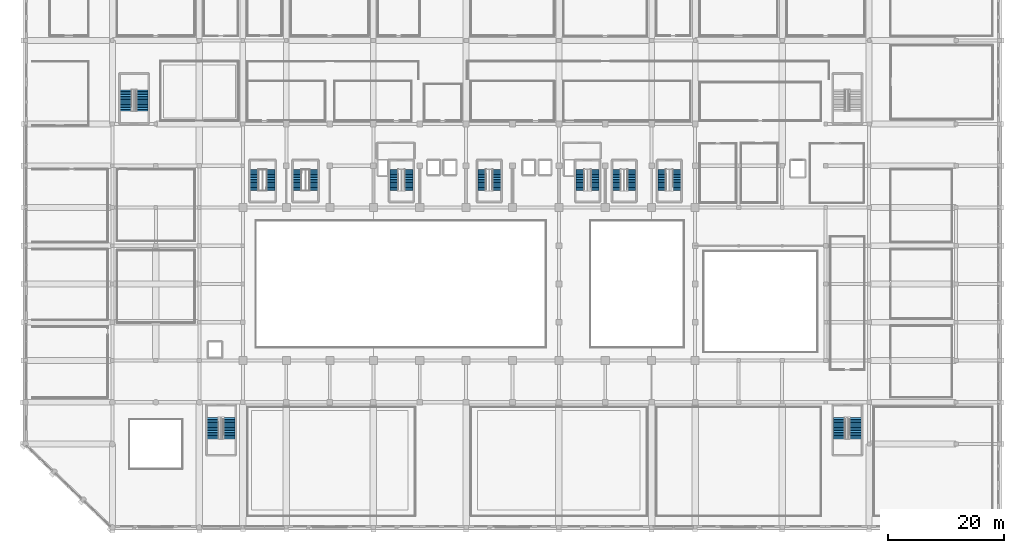
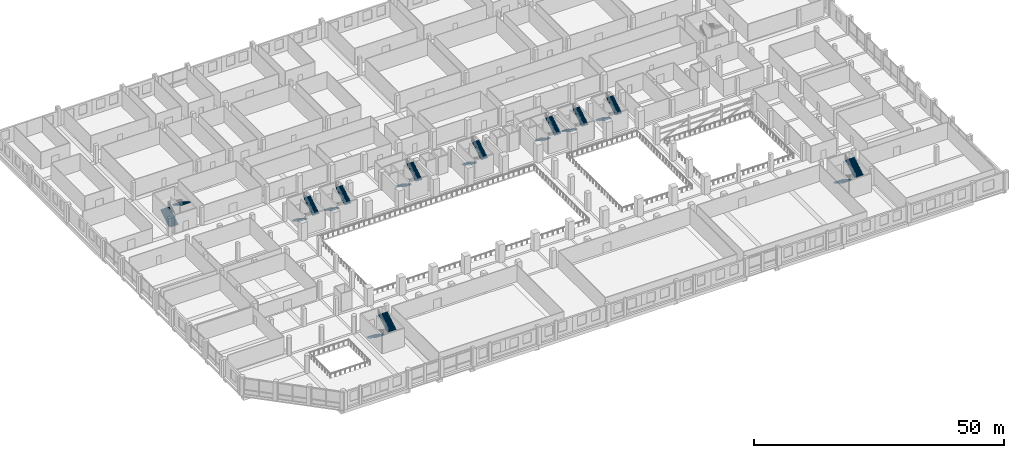
# One storey, part 54 of 64: 20 stair flights, 10 elements without a shape of their own.
"""IFC4 building model written with IfcOpenShell, lengths in metres."""

from ifc_helpers import new_model, si_unit, direction, frame, origin, place, context, subcontext, project, spatial, polyline, outline, extrude, material, type_object, element, aggregate, save


model = new_model("IFC4")

# Units and contexts
model_context = context("Model", 3, precision=1e-05, world=origin(), true_north=direction((0.0, 1.0)))
body_context = subcontext(model_context, "Body", "Model", "MODEL_VIEW")
ifc_project = project(units=[si_unit("LENGTHUNIT", "METRE"), si_unit("AREAUNIT", "SQUARE_METRE"), si_unit("VOLUMEUNIT", "CUBIC_METRE"), si_unit("PLANEANGLEUNIT", "RADIAN"), si_unit("MASSUNIT", "GRAM", prefix="KILO")], contexts=[model_context])

# Site, building, storey
site_placement = place(None, origin())
site = spatial("IfcSite", under=ifc_project, at=site_placement, CompositionType="ELEMENT")
building_placement = place(site_placement, origin())
building = spatial("IfcBuilding", under=site, at=building_placement, Name="Akrevak Sports Hall", CompositionType="ELEMENT")
storey_placement = place(building_placement, frame((0.0, 0.0, 4.60009765625)))
storey = spatial("IfcBuildingStorey", under=building, at=storey_placement, Name="L01", CompositionType="ELEMENT", Elevation=4.60009765625)

# Stair, stair flights
ifc_material = material(Name="Concrete C40/50", Category="concrete")
stair_type_1 = type_object("IfcStairType", Name="ARC-STR-DOG-480", PredefinedType="HALF_TURN_STAIR", material=ifc_material)
stair_1_placement = place(storey_placement, origin())
stair_1 = element("IfcStair", 1, at=stair_1_placement, inside=storey, type_object=stair_type_1, Name="Protected Exit Stair ST1 (L01 to L02)", PredefinedType="HALF_TURN_STAIR")
stair_flight_type_1 = type_object("IfcStairFlightType", Name="ARC-FLT-165-171", PredefinedType="STRAIGHT", material=ifc_material)
stair_flight_1_placement = place(storey_placement, frame((63.610107421875, 61.735107421875, 0.0), z_axis=(0.0, 0.0, 1.0), x_axis=(0.0, -1.0, 0.0)))
stair_flight_1 = element("IfcStairFlight", 2, at=stair_flight_1_placement, type_object=stair_flight_type_1, Name="Stair ST1 Flight 1 (L01)", NumberOfRisers=14, NumberOfTreads=13, PredefinedType="STRAIGHT", RiserHeight=0.171429, TreadLength=0.28, context=body_context, shape_type="SweptSolid", body=[
    extrude(outline(polyline([(0.0, 0.0), (0.0, 0.17138671875), (0.280029296875, 0.17138671875), (0.280029296875, 0.3427734375), (0.56005859375, 0.3427734375), (0.56005859375, 0.514404296875), (0.840087890625, 0.514404296875), (0.840087890625, 0.685791015625), (1.1201171875, 0.685791015625), (1.1201171875, 0.857177734375), (1.39990234375, 0.857177734375), (1.39990234375, 1.028564453125), (1.679931640625, 1.028564453125), (1.679931640625, 1.199951171875), (1.9599609375, 1.199951171875), (1.9599609375, 1.371337890625), (2.239990234375, 1.371337890625), (2.239990234375, 1.54296875), (2.52001953125, 1.54296875), (2.52001953125, 1.71435546875), (2.800048828125, 1.71435546875), (2.800048828125, 1.8857421875), (3.080078125, 1.8857421875), (3.080078125, 2.05712890625), (3.360107421875, 2.05712890625), (3.360107421875, 2.228515625), (3.639892578125, 2.228515625), (3.639892578125, 2.39990234375), (3.639892578125, 1.994140625), (0.383056640625, 0.0), (0.0, 0.0)])), frame((0.0, 0.75, 0.0), z_axis=(0.0, -1.0, 0.0), x_axis=(1.0, 0.0, 0.0)), (0.0, 0.0, 1.0), 1.5),
])
stair_flight_2_placement = place(storey_placement, frame((66.090087890625, 58.094970703125, 2.39990234375), z_axis=(0.0, 0.0, 1.0), x_axis=(0.0, 1.0, 0.0)))
stair_flight_2 = element("IfcStairFlight", 3, at=stair_flight_2_placement, type_object=stair_flight_type_1, Name="Stair ST1 Flight 2 (L01)", NumberOfRisers=14, NumberOfTreads=13, PredefinedType="STRAIGHT", RiserHeight=0.171429, TreadLength=0.28, context=body_context, shape_type="SweptSolid", body=[
    extrude(outline(polyline([(0.0, 0.0), (0.0, 0.17138671875), (0.280029296875, 0.17138671875), (0.280029296875, 0.3427734375), (0.56005859375, 0.3427734375), (0.56005859375, 0.514404296875), (0.840087890625, 0.514404296875), (0.840087890625, 0.685791015625), (1.1201171875, 0.685791015625), (1.1201171875, 0.857177734375), (1.39990234375, 0.857177734375), (1.39990234375, 1.028564453125), (1.679931640625, 1.028564453125), (1.679931640625, 1.199951171875), (1.9599609375, 1.199951171875), (1.9599609375, 1.371337890625), (2.239990234375, 1.371337890625), (2.239990234375, 1.54296875), (2.52001953125, 1.54296875), (2.52001953125, 1.71435546875), (2.800048828125, 1.71435546875), (2.800048828125, 1.8857421875), (3.080078125, 1.8857421875), (3.080078125, 2.05712890625), (3.360107421875, 2.05712890625), (3.360107421875, 2.228515625), (3.639892578125, 2.228515625), (3.639892578125, 2.39990234375), (3.639892578125, 1.994140625), (0.383056640625, 0.0), (0.0, 0.0)])), frame((0.0, 0.75, 0.0), z_axis=(0.0, -1.0, 0.0), x_axis=(1.0, 0.0, 0.0)), (0.0, 0.0, 1.0), 1.5),
])
aggregate(stair_1, [stair_flight_1, stair_flight_2])

stair_2_placement = place(storey_placement, origin())
stair_2 = element("IfcStair", 4, at=stair_2_placement, inside=storey, type_object=stair_type_1, Name="Protected Exit Stair ST2 (L01 to L02)", PredefinedType="HALF_TURN_STAIR")
stair_flight_3_placement = place(storey_placement, frame((95.7099609375, 61.735107421875, 0.0), z_axis=(0.0, 0.0, 1.0), x_axis=(0.0, -1.0, 0.0)))
stair_flight_3 = element("IfcStairFlight", 5, at=stair_flight_3_placement, type_object=stair_flight_type_1, Name="Stair ST2 Flight 1 (L01)", NumberOfRisers=14, NumberOfTreads=13, PredefinedType="STRAIGHT", RiserHeight=0.171429, TreadLength=0.28, context=body_context, shape_type="SweptSolid", body=[
    extrude(outline(polyline([(0.0, 0.0), (0.0, 0.17138671875), (0.280029296875, 0.17138671875), (0.280029296875, 0.3427734375), (0.56005859375, 0.3427734375), (0.56005859375, 0.514404296875), (0.840087890625, 0.514404296875), (0.840087890625, 0.685791015625), (1.1201171875, 0.685791015625), (1.1201171875, 0.857177734375), (1.39990234375, 0.857177734375), (1.39990234375, 1.028564453125), (1.679931640625, 1.028564453125), (1.679931640625, 1.199951171875), (1.9599609375, 1.199951171875), (1.9599609375, 1.371337890625), (2.239990234375, 1.371337890625), (2.239990234375, 1.54296875), (2.52001953125, 1.54296875), (2.52001953125, 1.71435546875), (2.800048828125, 1.71435546875), (2.800048828125, 1.8857421875), (3.080078125, 1.8857421875), (3.080078125, 2.05712890625), (3.360107421875, 2.05712890625), (3.360107421875, 2.228515625), (3.639892578125, 2.228515625), (3.639892578125, 2.39990234375), (3.639892578125, 1.994140625), (0.383056640625, 0.0), (0.0, 0.0)])), frame((0.0, 0.75, 0.0), z_axis=(0.0, -1.0, 0.0), x_axis=(1.0, 0.0, 0.0)), (0.0, 0.0, 1.0), 1.5),
])
stair_flight_4_placement = place(storey_placement, frame((98.18994140625, 58.094970703125, 2.39990234375), z_axis=(0.0, 0.0, 1.0), x_axis=(0.0, 1.0, 0.0)))
stair_flight_4 = element("IfcStairFlight", 6, at=stair_flight_4_placement, type_object=stair_flight_type_1, Name="Stair ST2 Flight 2 (L01)", NumberOfRisers=14, NumberOfTreads=13, PredefinedType="STRAIGHT", RiserHeight=0.171429, TreadLength=0.28, context=body_context, shape_type="SweptSolid", body=[
    extrude(outline(polyline([(0.0, 0.0), (0.0, 0.17138671875), (0.280029296875, 0.17138671875), (0.280029296875, 0.3427734375), (0.56005859375, 0.3427734375), (0.56005859375, 0.514404296875), (0.840087890625, 0.514404296875), (0.840087890625, 0.685791015625), (1.1201171875, 0.685791015625), (1.1201171875, 0.857177734375), (1.39990234375, 0.857177734375), (1.39990234375, 1.028564453125), (1.679931640625, 1.028564453125), (1.679931640625, 1.199951171875), (1.9599609375, 1.199951171875), (1.9599609375, 1.371337890625), (2.239990234375, 1.371337890625), (2.239990234375, 1.54296875), (2.52001953125, 1.54296875), (2.52001953125, 1.71435546875), (2.800048828125, 1.71435546875), (2.800048828125, 1.8857421875), (3.080078125, 1.8857421875), (3.080078125, 2.05712890625), (3.360107421875, 2.05712890625), (3.360107421875, 2.228515625), (3.639892578125, 2.228515625), (3.639892578125, 2.39990234375), (3.639892578125, 1.994140625), (0.383056640625, 0.0), (0.0, 0.0)])), frame((0.0, 0.75, 0.0), z_axis=(0.0, -1.0, 0.0), x_axis=(1.0, 0.0, 0.0)), (0.0, 0.0, 1.0), 1.5),
])
aggregate(stair_2, [stair_flight_3, stair_flight_4])

stair_3_placement = place(storey_placement, origin())
stair_3 = element("IfcStair", 7, at=stair_3_placement, inside=storey, type_object=stair_type_1, Name="Protected Exit Stair ST3 (L01 to L02)", PredefinedType="HALF_TURN_STAIR")
stair_flight_5_placement = place(storey_placement, frame((78.760009765625, 61.735107421875, 0.0), z_axis=(0.0, 0.0, 1.0), x_axis=(0.0, -1.0, 0.0)))
stair_flight_5 = element("IfcStairFlight", 8, at=stair_flight_5_placement, type_object=stair_flight_type_1, Name="Stair ST3 Flight 1 (L01)", NumberOfRisers=14, NumberOfTreads=13, PredefinedType="STRAIGHT", RiserHeight=0.171429, TreadLength=0.28, context=body_context, shape_type="SweptSolid", body=[
    extrude(outline(polyline([(0.0, 0.0), (0.0, 0.17138671875), (0.280029296875, 0.17138671875), (0.280029296875, 0.3427734375), (0.56005859375, 0.3427734375), (0.56005859375, 0.514404296875), (0.840087890625, 0.514404296875), (0.840087890625, 0.685791015625), (1.1201171875, 0.685791015625), (1.1201171875, 0.857177734375), (1.39990234375, 0.857177734375), (1.39990234375, 1.028564453125), (1.679931640625, 1.028564453125), (1.679931640625, 1.199951171875), (1.9599609375, 1.199951171875), (1.9599609375, 1.371337890625), (2.239990234375, 1.371337890625), (2.239990234375, 1.54296875), (2.52001953125, 1.54296875), (2.52001953125, 1.71435546875), (2.800048828125, 1.71435546875), (2.800048828125, 1.8857421875), (3.080078125, 1.8857421875), (3.080078125, 2.05712890625), (3.360107421875, 2.05712890625), (3.360107421875, 2.228515625), (3.639892578125, 2.228515625), (3.639892578125, 2.39990234375), (3.639892578125, 1.994140625), (0.383056640625, 0.0), (0.0, 0.0)])), frame((0.0, 0.75, 0.0), z_axis=(0.0, -1.0, 0.0), x_axis=(1.0, 0.0, 0.0)), (0.0, 0.0, 1.0), 1.5),
])
stair_flight_6_placement = place(storey_placement, frame((81.239990234375, 58.094970703125, 2.39990234375), z_axis=(0.0, 0.0, 1.0), x_axis=(0.0, 1.0, 0.0)))
stair_flight_6 = element("IfcStairFlight", 9, at=stair_flight_6_placement, type_object=stair_flight_type_1, Name="Stair ST3 Flight 2 (L01)", NumberOfRisers=14, NumberOfTreads=13, PredefinedType="STRAIGHT", RiserHeight=0.171429, TreadLength=0.28, context=body_context, shape_type="SweptSolid", body=[
    extrude(outline(polyline([(0.0, 0.0), (0.0, 0.17138671875), (0.280029296875, 0.17138671875), (0.280029296875, 0.3427734375), (0.56005859375, 0.3427734375), (0.56005859375, 0.514404296875), (0.840087890625, 0.514404296875), (0.840087890625, 0.685791015625), (1.1201171875, 0.685791015625), (1.1201171875, 0.857177734375), (1.39990234375, 0.857177734375), (1.39990234375, 1.028564453125), (1.679931640625, 1.028564453125), (1.679931640625, 1.199951171875), (1.9599609375, 1.199951171875), (1.9599609375, 1.371337890625), (2.239990234375, 1.371337890625), (2.239990234375, 1.54296875), (2.52001953125, 1.54296875), (2.52001953125, 1.71435546875), (2.800048828125, 1.71435546875), (2.800048828125, 1.8857421875), (3.080078125, 1.8857421875), (3.080078125, 2.05712890625), (3.360107421875, 2.05712890625), (3.360107421875, 2.228515625), (3.639892578125, 2.228515625), (3.639892578125, 2.39990234375), (3.639892578125, 1.994140625), (0.383056640625, 0.0), (0.0, 0.0)])), frame((0.0, 0.75, 0.0), z_axis=(0.0, -1.0, 0.0), x_axis=(1.0, 0.0, 0.0)), (0.0, 0.0, 1.0), 1.5),
])
aggregate(stair_3, [stair_flight_5, stair_flight_6])

stair_4_placement = place(storey_placement, origin())
stair_4 = element("IfcStair", 10, at=stair_4_placement, inside=storey, type_object=stair_type_1, Name="East Wing Exit Stair ST10 (L01 to L02)", PredefinedType="HALF_TURN_STAIR")
stair_flight_7_placement = place(storey_placement, frame((102.010009765625, 61.735107421875, 0.0), z_axis=(0.0, 0.0, 1.0), x_axis=(0.0, -1.0, 0.0)))
stair_flight_7 = element("IfcStairFlight", 11, at=stair_flight_7_placement, type_object=stair_flight_type_1, Name="Stair ST10 Flight 1 (L01)", NumberOfRisers=14, NumberOfTreads=13, PredefinedType="STRAIGHT", RiserHeight=0.171429, TreadLength=0.28, context=body_context, shape_type="SweptSolid", body=[
    extrude(outline(polyline([(0.0, 0.0), (0.0, 0.17138671875), (0.280029296875, 0.17138671875), (0.280029296875, 0.3427734375), (0.56005859375, 0.3427734375), (0.56005859375, 0.514404296875), (0.840087890625, 0.514404296875), (0.840087890625, 0.685791015625), (1.1201171875, 0.685791015625), (1.1201171875, 0.857177734375), (1.39990234375, 0.857177734375), (1.39990234375, 1.028564453125), (1.679931640625, 1.028564453125), (1.679931640625, 1.199951171875), (1.9599609375, 1.199951171875), (1.9599609375, 1.371337890625), (2.239990234375, 1.371337890625), (2.239990234375, 1.54296875), (2.52001953125, 1.54296875), (2.52001953125, 1.71435546875), (2.800048828125, 1.71435546875), (2.800048828125, 1.8857421875), (3.080078125, 1.8857421875), (3.080078125, 2.05712890625), (3.360107421875, 2.05712890625), (3.360107421875, 2.228515625), (3.639892578125, 2.228515625), (3.639892578125, 2.39990234375), (3.639892578125, 1.994140625), (0.383056640625, 0.0), (0.0, 0.0)])), frame((0.0, 0.75, 0.0), z_axis=(0.0, -1.0, 0.0), x_axis=(1.0, 0.0, 0.0)), (0.0, 0.0, 1.0), 1.5),
])
stair_flight_8_placement = place(storey_placement, frame((104.489990234375, 58.094970703125, 2.39990234375), z_axis=(0.0, 0.0, 1.0), x_axis=(0.0, 1.0, 0.0)))
stair_flight_8 = element("IfcStairFlight", 12, at=stair_flight_8_placement, type_object=stair_flight_type_1, Name="Stair ST10 Flight 2 (L01)", NumberOfRisers=14, NumberOfTreads=13, PredefinedType="STRAIGHT", RiserHeight=0.171429, TreadLength=0.28, context=body_context, shape_type="SweptSolid", body=[
    extrude(outline(polyline([(0.0, 0.0), (0.0, 0.17138671875), (0.280029296875, 0.17138671875), (0.280029296875, 0.3427734375), (0.56005859375, 0.3427734375), (0.56005859375, 0.514404296875), (0.840087890625, 0.514404296875), (0.840087890625, 0.685791015625), (1.1201171875, 0.685791015625), (1.1201171875, 0.857177734375), (1.39990234375, 0.857177734375), (1.39990234375, 1.028564453125), (1.679931640625, 1.028564453125), (1.679931640625, 1.199951171875), (1.9599609375, 1.199951171875), (1.9599609375, 1.371337890625), (2.239990234375, 1.371337890625), (2.239990234375, 1.54296875), (2.52001953125, 1.54296875), (2.52001953125, 1.71435546875), (2.800048828125, 1.71435546875), (2.800048828125, 1.8857421875), (3.080078125, 1.8857421875), (3.080078125, 2.05712890625), (3.360107421875, 2.05712890625), (3.360107421875, 2.228515625), (3.639892578125, 2.228515625), (3.639892578125, 2.39990234375), (3.639892578125, 1.994140625), (0.383056640625, 0.0), (0.0, 0.0)])), frame((0.0, 0.75, 0.0), z_axis=(0.0, -1.0, 0.0), x_axis=(1.0, 0.0, 0.0)), (0.0, 0.0, 1.0), 1.5),
])
aggregate(stair_4, [stair_flight_7, stair_flight_8])

stair_5_placement = place(storey_placement, origin())
stair_5 = element("IfcStair", 13, at=stair_5_placement, inside=storey, type_object=stair_type_1, Name="East Transfer Exit Stair ST11 (L01 to L02)", PredefinedType="HALF_TURN_STAIR")
stair_flight_9_placement = place(storey_placement, frame((109.81005859375, 61.735107421875, 0.0), z_axis=(0.0, 0.0, 1.0), x_axis=(0.0, -1.0, 0.0)))
stair_flight_9 = element("IfcStairFlight", 14, at=stair_flight_9_placement, type_object=stair_flight_type_1, Name="Stair ST11 Flight 1 (L01)", NumberOfRisers=14, NumberOfTreads=13, PredefinedType="STRAIGHT", RiserHeight=0.171429, TreadLength=0.28, context=body_context, shape_type="SweptSolid", body=[
    extrude(outline(polyline([(0.0, 0.0), (0.0, 0.17138671875), (0.280029296875, 0.17138671875), (0.280029296875, 0.3427734375), (0.56005859375, 0.3427734375), (0.56005859375, 0.514404296875), (0.840087890625, 0.514404296875), (0.840087890625, 0.685791015625), (1.1201171875, 0.685791015625), (1.1201171875, 0.857177734375), (1.39990234375, 0.857177734375), (1.39990234375, 1.028564453125), (1.679931640625, 1.028564453125), (1.679931640625, 1.199951171875), (1.9599609375, 1.199951171875), (1.9599609375, 1.371337890625), (2.239990234375, 1.371337890625), (2.239990234375, 1.54296875), (2.52001953125, 1.54296875), (2.52001953125, 1.71435546875), (2.800048828125, 1.71435546875), (2.800048828125, 1.8857421875), (3.080078125, 1.8857421875), (3.080078125, 2.05712890625), (3.360107421875, 2.05712890625), (3.360107421875, 2.228515625), (3.639892578125, 2.228515625), (3.639892578125, 2.39990234375), (3.639892578125, 1.994140625), (0.383056640625, 0.0), (0.0, 0.0)])), frame((0.0, 0.75, 0.0), z_axis=(0.0, -1.0, 0.0), x_axis=(1.0, 0.0, 0.0)), (0.0, 0.0, 1.0), 1.5),
])
stair_flight_10_placement = place(storey_placement, frame((112.2900390625, 58.094970703125, 2.39990234375), z_axis=(0.0, 0.0, 1.0), x_axis=(0.0, 1.0, 0.0)))
stair_flight_10 = element("IfcStairFlight", 15, at=stair_flight_10_placement, type_object=stair_flight_type_1, Name="Stair ST11 Flight 2 (L01)", NumberOfRisers=14, NumberOfTreads=13, PredefinedType="STRAIGHT", RiserHeight=0.171429, TreadLength=0.28, context=body_context, shape_type="SweptSolid", body=[
    extrude(outline(polyline([(0.0, 0.0), (0.0, 0.17138671875), (0.280029296875, 0.17138671875), (0.280029296875, 0.3427734375), (0.56005859375, 0.3427734375), (0.56005859375, 0.514404296875), (0.840087890625, 0.514404296875), (0.840087890625, 0.685791015625), (1.1201171875, 0.685791015625), (1.1201171875, 0.857177734375), (1.39990234375, 0.857177734375), (1.39990234375, 1.028564453125), (1.679931640625, 1.028564453125), (1.679931640625, 1.199951171875), (1.9599609375, 1.199951171875), (1.9599609375, 1.371337890625), (2.239990234375, 1.371337890625), (2.239990234375, 1.54296875), (2.52001953125, 1.54296875), (2.52001953125, 1.71435546875), (2.800048828125, 1.71435546875), (2.800048828125, 1.8857421875), (3.080078125, 1.8857421875), (3.080078125, 2.05712890625), (3.360107421875, 2.05712890625), (3.360107421875, 2.228515625), (3.639892578125, 2.228515625), (3.639892578125, 2.39990234375), (3.639892578125, 1.994140625), (0.383056640625, 0.0), (0.0, 0.0)])), frame((0.0, 0.75, 0.0), z_axis=(0.0, -1.0, 0.0), x_axis=(1.0, 0.0, 0.0)), (0.0, 0.0, 1.0), 1.5),
])
aggregate(stair_5, [stair_flight_9, stair_flight_10])

stair_type_2 = type_object("IfcStairType", Name="ARC-STR-MDOG-480", PredefinedType="HALF_TURN_STAIR", material=ifc_material)
stair_6_placement = place(storey_placement, origin())
stair_6 = element("IfcStair", 16, at=stair_6_placement, inside=storey, type_object=stair_type_2, Name="Protected Exit Stair ST4 (L01 to L02)", PredefinedType="HALF_TURN_STAIR")
stair_flight_type_2 = type_object("IfcStairFlightType", Name="ARC-FLT-200-171", PredefinedType="STRAIGHT", material=ifc_material)
stair_flight_11_placement = place(storey_placement, frame((46.9150390625, 61.735107421875, 0.0), z_axis=(0.0, 0.0, 1.0), x_axis=(0.0, -1.0, 0.0)))
stair_flight_11 = element("IfcStairFlight", 17, at=stair_flight_11_placement, type_object=stair_flight_type_2, Name="Stair ST4 Flight 1 (L01)", NumberOfRisers=14, NumberOfTreads=13, PredefinedType="STRAIGHT", RiserHeight=0.171429, TreadLength=0.28, context=body_context, shape_type="SweptSolid", body=[
    extrude(outline(polyline([(0.0, 0.0), (0.0, 0.17138671875), (0.280029296875, 0.17138671875), (0.280029296875, 0.3427734375), (0.56005859375, 0.3427734375), (0.56005859375, 0.514404296875), (0.840087890625, 0.514404296875), (0.840087890625, 0.685791015625), (1.1201171875, 0.685791015625), (1.1201171875, 0.857177734375), (1.39990234375, 0.857177734375), (1.39990234375, 1.028564453125), (1.679931640625, 1.028564453125), (1.679931640625, 1.199951171875), (1.9599609375, 1.199951171875), (1.9599609375, 1.371337890625), (2.239990234375, 1.371337890625), (2.239990234375, 1.54296875), (2.52001953125, 1.54296875), (2.52001953125, 1.71435546875), (2.800048828125, 1.71435546875), (2.800048828125, 1.8857421875), (3.080078125, 1.8857421875), (3.080078125, 2.05712890625), (3.360107421875, 2.05712890625), (3.360107421875, 2.228515625), (3.639892578125, 2.228515625), (3.639892578125, 2.39990234375), (3.639892578125, 1.994140625), (0.383056640625, 0.0), (0.0, 0.0)])), frame((0.0, 0.7548828125, 0.0), z_axis=(0.0, -1.0, 0.0), x_axis=(1.0, 0.0, 0.0)), (0.0, 0.0, 1.0), 1.510009765625),
])
stair_flight_12_placement = place(storey_placement, frame((49.68505859375, 58.094970703125, 2.39990234375), z_axis=(0.0, 0.0, 1.0), x_axis=(0.0, 1.0, 0.0)))
stair_flight_12 = element("IfcStairFlight", 18, at=stair_flight_12_placement, type_object=stair_flight_type_2, Name="Stair ST4 Flight 2 (L01)", NumberOfRisers=14, NumberOfTreads=13, PredefinedType="STRAIGHT", RiserHeight=0.171429, TreadLength=0.28, context=body_context, shape_type="SweptSolid", body=[
    extrude(outline(polyline([(0.0, 0.0), (0.0, 0.17138671875), (0.280029296875, 0.17138671875), (0.280029296875, 0.3427734375), (0.56005859375, 0.3427734375), (0.56005859375, 0.514404296875), (0.840087890625, 0.514404296875), (0.840087890625, 0.685791015625), (1.1201171875, 0.685791015625), (1.1201171875, 0.857177734375), (1.39990234375, 0.857177734375), (1.39990234375, 1.028564453125), (1.679931640625, 1.028564453125), (1.679931640625, 1.199951171875), (1.9599609375, 1.199951171875), (1.9599609375, 1.371337890625), (2.239990234375, 1.371337890625), (2.239990234375, 1.54296875), (2.52001953125, 1.54296875), (2.52001953125, 1.71435546875), (2.800048828125, 1.71435546875), (2.800048828125, 1.8857421875), (3.080078125, 1.8857421875), (3.080078125, 2.05712890625), (3.360107421875, 2.05712890625), (3.360107421875, 2.228515625), (3.639892578125, 2.228515625), (3.639892578125, 2.39990234375), (3.639892578125, 1.994140625), (0.383056640625, 0.0), (0.0, 0.0)])), frame((0.0, 0.7548828125, 0.0), z_axis=(0.0, -1.0, 0.0), x_axis=(1.0, 0.0, 0.0)), (0.0, 0.0, 1.0), 1.510009765625),
])
aggregate(stair_6, [stair_flight_11, stair_flight_12])

stair_7_placement = place(storey_placement, origin())
stair_7 = element("IfcStair", 19, at=stair_7_placement, inside=storey, type_object=stair_type_2, Name="Transfer West Exit Stair ST9 (L01 to L02)", PredefinedType="HALF_TURN_STAIR")
stair_flight_13_placement = place(storey_placement, frame((39.514892578125, 61.735107421875, 0.0), z_axis=(0.0, 0.0, 1.0), x_axis=(0.0, -1.0, 0.0)))
stair_flight_13 = element("IfcStairFlight", 20, at=stair_flight_13_placement, type_object=stair_flight_type_2, Name="Stair ST9 Flight 1 (L01)", NumberOfRisers=14, NumberOfTreads=13, PredefinedType="STRAIGHT", RiserHeight=0.171429, TreadLength=0.28, context=body_context, shape_type="SweptSolid", body=[
    extrude(outline(polyline([(0.0, 0.0), (0.0, 0.17138671875), (0.280029296875, 0.17138671875), (0.280029296875, 0.3427734375), (0.56005859375, 0.3427734375), (0.56005859375, 0.514404296875), (0.840087890625, 0.514404296875), (0.840087890625, 0.685791015625), (1.1201171875, 0.685791015625), (1.1201171875, 0.857177734375), (1.39990234375, 0.857177734375), (1.39990234375, 1.028564453125), (1.679931640625, 1.028564453125), (1.679931640625, 1.199951171875), (1.9599609375, 1.199951171875), (1.9599609375, 1.371337890625), (2.239990234375, 1.371337890625), (2.239990234375, 1.54296875), (2.52001953125, 1.54296875), (2.52001953125, 1.71435546875), (2.800048828125, 1.71435546875), (2.800048828125, 1.8857421875), (3.080078125, 1.8857421875), (3.080078125, 2.05712890625), (3.360107421875, 2.05712890625), (3.360107421875, 2.228515625), (3.639892578125, 2.228515625), (3.639892578125, 2.39990234375), (3.639892578125, 1.994140625), (0.383056640625, 0.0), (0.0, 0.0)])), frame((0.0, 0.7548828125, 0.0), z_axis=(0.0, -1.0, 0.0), x_axis=(1.0, 0.0, 0.0)), (0.0, 0.0, 1.0), 1.510009765625),
])
stair_flight_14_placement = place(storey_placement, frame((42.284912109375, 58.094970703125, 2.39990234375), z_axis=(0.0, 0.0, 1.0), x_axis=(0.0, 1.0, 0.0)))
stair_flight_14 = element("IfcStairFlight", 21, at=stair_flight_14_placement, type_object=stair_flight_type_2, Name="Stair ST9 Flight 2 (L01)", NumberOfRisers=14, NumberOfTreads=13, PredefinedType="STRAIGHT", RiserHeight=0.171429, TreadLength=0.28, context=body_context, shape_type="SweptSolid", body=[
    extrude(outline(polyline([(0.0, 0.0), (0.0, 0.17138671875), (0.280029296875, 0.17138671875), (0.280029296875, 0.3427734375), (0.56005859375, 0.3427734375), (0.56005859375, 0.514404296875), (0.840087890625, 0.514404296875), (0.840087890625, 0.685791015625), (1.1201171875, 0.685791015625), (1.1201171875, 0.857177734375), (1.39990234375, 0.857177734375), (1.39990234375, 1.028564453125), (1.679931640625, 1.028564453125), (1.679931640625, 1.199951171875), (1.9599609375, 1.199951171875), (1.9599609375, 1.371337890625), (2.239990234375, 1.371337890625), (2.239990234375, 1.54296875), (2.52001953125, 1.54296875), (2.52001953125, 1.71435546875), (2.800048828125, 1.71435546875), (2.800048828125, 1.8857421875), (3.080078125, 1.8857421875), (3.080078125, 2.05712890625), (3.360107421875, 2.05712890625), (3.360107421875, 2.228515625), (3.639892578125, 2.228515625), (3.639892578125, 2.39990234375), (3.639892578125, 1.994140625), (0.383056640625, 0.0), (0.0, 0.0)])), frame((0.0, 0.7548828125, 0.0), z_axis=(0.0, -1.0, 0.0), x_axis=(1.0, 0.0, 0.0)), (0.0, 0.0, 1.0), 1.510009765625),
])
aggregate(stair_7, [stair_flight_13, stair_flight_14])

stair_type_3 = type_object("IfcStairType", Name="ARC-STR-PDOG-480", PredefinedType="HALF_TURN_STAIR", material=ifc_material)
stair_8_placement = place(storey_placement, origin())
stair_8 = element("IfcStair", 22, at=stair_8_placement, inside=storey, type_object=stair_type_3, Name="Podium SW Exit Stair ST5 (L01 to L02)", PredefinedType="HALF_TURN_STAIR")
stair_flight_type_3 = type_object("IfcStairFlightType", Name="ARC-FLT-225-171", PredefinedType="STRAIGHT", material=ifc_material)
stair_flight_15_placement = place(storey_placement, frame((32.385009765625, 18.949951171875, 0.0), z_axis=(0.0, 0.0, 1.0), x_axis=(0.0, -1.0, 0.0)))
stair_flight_15 = element("IfcStairFlight", 23, at=stair_flight_15_placement, type_object=stair_flight_type_3, Name="Stair ST5 Flight 1 (L01)", NumberOfRisers=14, NumberOfTreads=13, PredefinedType="STRAIGHT", RiserHeight=0.171429, TreadLength=0.28, context=body_context, shape_type="SweptSolid", body=[
    extrude(outline(polyline([(0.0, 0.0), (0.0, 0.17138671875), (0.280029296875, 0.17138671875), (0.280029296875, 0.3427734375), (0.56005859375, 0.3427734375), (0.56005859375, 0.514404296875), (0.840087890625, 0.514404296875), (0.840087890625, 0.685791015625), (1.1201171875, 0.685791015625), (1.1201171875, 0.857177734375), (1.39990234375, 0.857177734375), (1.39990234375, 1.028564453125), (1.679931640625, 1.028564453125), (1.679931640625, 1.199951171875), (1.9599609375, 1.199951171875), (1.9599609375, 1.371337890625), (2.239990234375, 1.371337890625), (2.239990234375, 1.54296875), (2.52001953125, 1.54296875), (2.52001953125, 1.71435546875), (2.800048828125, 1.71435546875), (2.800048828125, 1.8857421875), (3.080078125, 1.8857421875), (3.080078125, 2.05712890625), (3.360107421875, 2.05712890625), (3.360107421875, 2.228515625), (3.639892578125, 2.228515625), (3.639892578125, 2.39990234375), (3.639892578125, 1.994140625), (0.383056640625, 0.0), (0.0, 0.0)])), frame((0.0, 1.02490234375, 0.0), z_axis=(0.0, -1.0, 0.0), x_axis=(1.0, 0.0, 0.0)), (0.0, 0.0, 1.0), 2.050048828125),
])
stair_flight_16_placement = place(storey_placement, frame((35.114990234375, 15.31005859375, 2.39990234375), z_axis=(0.0, 0.0, 1.0), x_axis=(0.0, 1.0, 0.0)))
stair_flight_16 = element("IfcStairFlight", 24, at=stair_flight_16_placement, type_object=stair_flight_type_3, Name="Stair ST5 Flight 2 (L01)", NumberOfRisers=14, NumberOfTreads=13, PredefinedType="STRAIGHT", RiserHeight=0.171429, TreadLength=0.28, context=body_context, shape_type="SweptSolid", body=[
    extrude(outline(polyline([(0.0, 0.0), (0.0, 0.17138671875), (0.280029296875, 0.17138671875), (0.280029296875, 0.3427734375), (0.56005859375, 0.3427734375), (0.56005859375, 0.514404296875), (0.840087890625, 0.514404296875), (0.840087890625, 0.685791015625), (1.1201171875, 0.685791015625), (1.1201171875, 0.857177734375), (1.39990234375, 0.857177734375), (1.39990234375, 1.028564453125), (1.679931640625, 1.028564453125), (1.679931640625, 1.199951171875), (1.9599609375, 1.199951171875), (1.9599609375, 1.371337890625), (2.239990234375, 1.371337890625), (2.239990234375, 1.54296875), (2.52001953125, 1.54296875), (2.52001953125, 1.71435546875), (2.800048828125, 1.71435546875), (2.800048828125, 1.8857421875), (3.080078125, 1.8857421875), (3.080078125, 2.05712890625), (3.360107421875, 2.05712890625), (3.360107421875, 2.228515625), (3.639892578125, 2.228515625), (3.639892578125, 2.39990234375), (3.639892578125, 1.994140625), (0.383056640625, 0.0), (0.0, 0.0)])), frame((0.0, 1.02490234375, 0.0), z_axis=(0.0, -1.0, 0.0), x_axis=(1.0, 0.0, 0.0)), (0.0, 0.0, 1.0), 2.050048828125),
])
aggregate(stair_8, [stair_flight_15, stair_flight_16])

stair_9_placement = place(storey_placement, origin())
stair_9 = element("IfcStair", 25, at=stair_9_placement, inside=storey, type_object=stair_type_3, Name="Podium NW Exit Stair ST6 (L01 to L02)", PredefinedType="HALF_TURN_STAIR")
stair_flight_17_placement = place(storey_placement, frame((17.385009765625, 71.85009765625, 0.0), z_axis=(0.0, 0.0, 1.0), x_axis=(0.0, 1.0, 0.0)))
stair_flight_17 = element("IfcStairFlight", 26, at=stair_flight_17_placement, type_object=stair_flight_type_3, Name="Stair ST6 Flight 1 (L01)", NumberOfRisers=14, NumberOfTreads=13, PredefinedType="STRAIGHT", RiserHeight=0.171429, TreadLength=0.28, context=body_context, shape_type="SweptSolid", body=[
    extrude(outline(polyline([(0.0, 0.0), (0.0, 0.17138671875), (0.280029296875, 0.17138671875), (0.280029296875, 0.3427734375), (0.56005859375, 0.3427734375), (0.56005859375, 0.514404296875), (0.840087890625, 0.514404296875), (0.840087890625, 0.685791015625), (1.1201171875, 0.685791015625), (1.1201171875, 0.857177734375), (1.39990234375, 0.857177734375), (1.39990234375, 1.028564453125), (1.679931640625, 1.028564453125), (1.679931640625, 1.199951171875), (1.9599609375, 1.199951171875), (1.9599609375, 1.371337890625), (2.239990234375, 1.371337890625), (2.239990234375, 1.54296875), (2.52001953125, 1.54296875), (2.52001953125, 1.71435546875), (2.800048828125, 1.71435546875), (2.800048828125, 1.8857421875), (3.080078125, 1.8857421875), (3.080078125, 2.05712890625), (3.360107421875, 2.05712890625), (3.360107421875, 2.228515625), (3.639892578125, 2.228515625), (3.639892578125, 2.39990234375), (3.639892578125, 1.994140625), (0.383056640625, 0.0), (0.0, 0.0)])), frame((0.0, 1.02490234375, 0.0), z_axis=(0.0, -1.0, 0.0), x_axis=(1.0, 0.0, 0.0)), (0.0, 0.0, 1.0), 2.050048828125),
])
stair_flight_18_placement = place(storey_placement, frame((20.114990234375, 75.489990234375, 2.39990234375), z_axis=(0.0, 0.0, 1.0), x_axis=(0.0, -1.0, 0.0)))
stair_flight_18 = element("IfcStairFlight", 27, at=stair_flight_18_placement, type_object=stair_flight_type_3, Name="Stair ST6 Flight 2 (L01)", NumberOfRisers=14, NumberOfTreads=13, PredefinedType="STRAIGHT", RiserHeight=0.171429, TreadLength=0.28, context=body_context, shape_type="SweptSolid", body=[
    extrude(outline(polyline([(0.0, 0.0), (0.0, 0.17138671875), (0.280029296875, 0.17138671875), (0.280029296875, 0.3427734375), (0.56005859375, 0.3427734375), (0.56005859375, 0.514404296875), (0.840087890625, 0.514404296875), (0.840087890625, 0.685791015625), (1.1201171875, 0.685791015625), (1.1201171875, 0.857177734375), (1.39990234375, 0.857177734375), (1.39990234375, 1.028564453125), (1.679931640625, 1.028564453125), (1.679931640625, 1.199951171875), (1.9599609375, 1.199951171875), (1.9599609375, 1.371337890625), (2.239990234375, 1.371337890625), (2.239990234375, 1.54296875), (2.52001953125, 1.54296875), (2.52001953125, 1.71435546875), (2.800048828125, 1.71435546875), (2.800048828125, 1.8857421875), (3.080078125, 1.8857421875), (3.080078125, 2.05712890625), (3.360107421875, 2.05712890625), (3.360107421875, 2.228515625), (3.639892578125, 2.228515625), (3.639892578125, 2.39990234375), (3.639892578125, 1.994140625), (0.383056640625, 0.0), (0.0, 0.0)])), frame((0.0, 1.02490234375, 0.0), z_axis=(0.0, -1.0, 0.0), x_axis=(1.0, 0.0, 0.0)), (0.0, 0.0, 1.0), 2.050048828125),
])
aggregate(stair_9, [stair_flight_17, stair_flight_18])

stair_10_placement = place(storey_placement, origin())
stair_10 = element("IfcStair", 28, at=stair_10_placement, inside=storey, type_object=stair_type_3, Name="Podium SE Exit Stair ST7 (L01 to L02)", PredefinedType="HALF_TURN_STAIR")
stair_flight_19_placement = place(storey_placement, frame((140.385009765625, 18.949951171875, 0.0), z_axis=(0.0, 0.0, 1.0), x_axis=(0.0, -1.0, 0.0)))
stair_flight_19 = element("IfcStairFlight", 29, at=stair_flight_19_placement, type_object=stair_flight_type_3, Name="Stair ST7 Flight 1 (L01)", NumberOfRisers=14, NumberOfTreads=13, PredefinedType="STRAIGHT", RiserHeight=0.171429, TreadLength=0.28, context=body_context, shape_type="SweptSolid", body=[
    extrude(outline(polyline([(0.0, 0.0), (0.0, 0.17138671875), (0.280029296875, 0.17138671875), (0.280029296875, 0.3427734375), (0.56005859375, 0.3427734375), (0.56005859375, 0.514404296875), (0.840087890625, 0.514404296875), (0.840087890625, 0.685791015625), (1.1201171875, 0.685791015625), (1.1201171875, 0.857177734375), (1.39990234375, 0.857177734375), (1.39990234375, 1.028564453125), (1.679931640625, 1.028564453125), (1.679931640625, 1.199951171875), (1.9599609375, 1.199951171875), (1.9599609375, 1.371337890625), (2.239990234375, 1.371337890625), (2.239990234375, 1.54296875), (2.52001953125, 1.54296875), (2.52001953125, 1.71435546875), (2.800048828125, 1.71435546875), (2.800048828125, 1.8857421875), (3.080078125, 1.8857421875), (3.080078125, 2.05712890625), (3.360107421875, 2.05712890625), (3.360107421875, 2.228515625), (3.639892578125, 2.228515625), (3.639892578125, 2.39990234375), (3.639892578125, 1.994140625), (0.383056640625, 0.0), (0.0, 0.0)])), frame((0.0, 1.02490234375, 0.0), z_axis=(0.0, -1.0, 0.0), x_axis=(1.0, 0.0, 0.0)), (0.0, 0.0, 1.0), 2.050048828125),
])
stair_flight_20_placement = place(storey_placement, frame((143.114990234375, 15.31005859375, 2.39990234375), z_axis=(0.0, 0.0, 1.0), x_axis=(0.0, 1.0, 0.0)))
stair_flight_20 = element("IfcStairFlight", 30, at=stair_flight_20_placement, type_object=stair_flight_type_3, Name="Stair ST7 Flight 2 (L01)", NumberOfRisers=14, NumberOfTreads=13, PredefinedType="STRAIGHT", RiserHeight=0.171429, TreadLength=0.28, context=body_context, shape_type="SweptSolid", body=[
    extrude(outline(polyline([(0.0, 0.0), (0.0, 0.17138671875), (0.280029296875, 0.17138671875), (0.280029296875, 0.3427734375), (0.56005859375, 0.3427734375), (0.56005859375, 0.514404296875), (0.840087890625, 0.514404296875), (0.840087890625, 0.685791015625), (1.1201171875, 0.685791015625), (1.1201171875, 0.857177734375), (1.39990234375, 0.857177734375), (1.39990234375, 1.028564453125), (1.679931640625, 1.028564453125), (1.679931640625, 1.199951171875), (1.9599609375, 1.199951171875), (1.9599609375, 1.371337890625), (2.239990234375, 1.371337890625), (2.239990234375, 1.54296875), (2.52001953125, 1.54296875), (2.52001953125, 1.71435546875), (2.800048828125, 1.71435546875), (2.800048828125, 1.8857421875), (3.080078125, 1.8857421875), (3.080078125, 2.05712890625), (3.360107421875, 2.05712890625), (3.360107421875, 2.228515625), (3.639892578125, 2.228515625), (3.639892578125, 2.39990234375), (3.639892578125, 1.994140625), (0.383056640625, 0.0), (0.0, 0.0)])), frame((0.0, 1.02490234375, 0.0), z_axis=(0.0, -1.0, 0.0), x_axis=(1.0, 0.0, 0.0)), (0.0, 0.0, 1.0), 2.050048828125),
])
aggregate(stair_10, [stair_flight_19, stair_flight_20])

save(model, "model.ifc")
